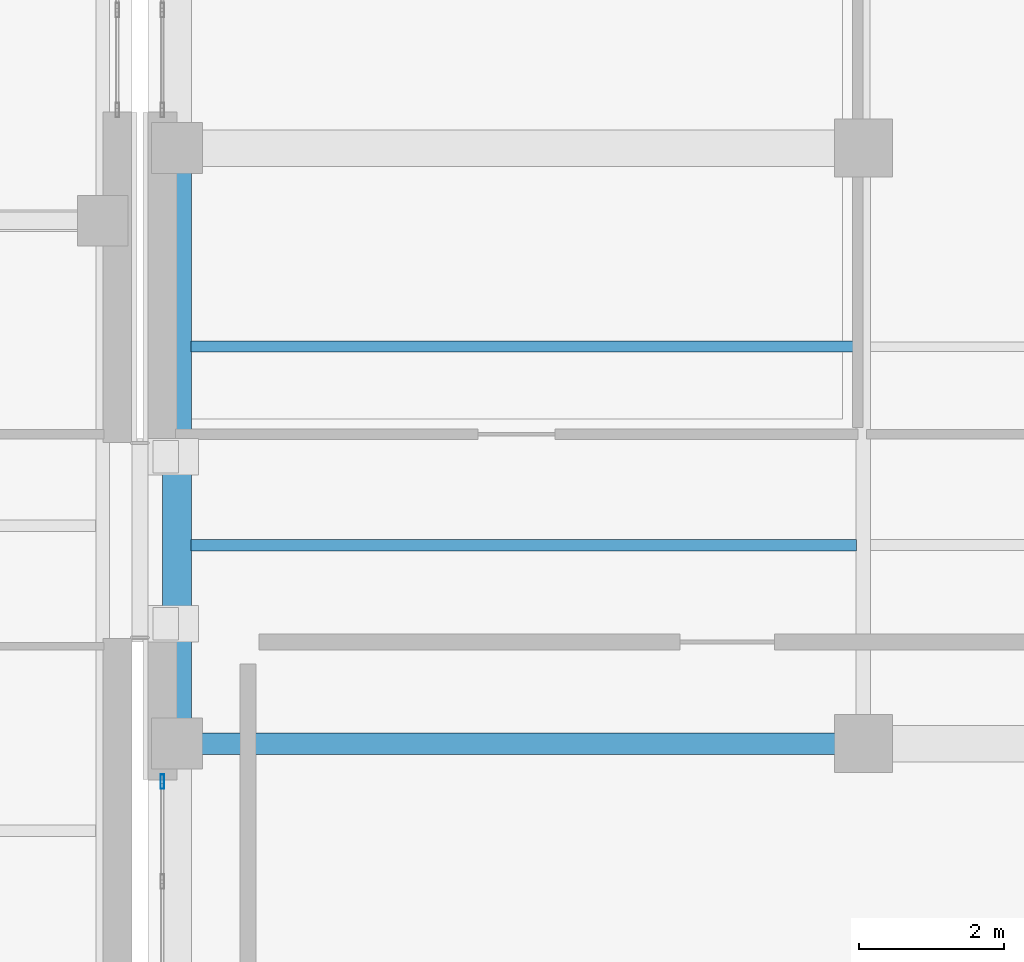
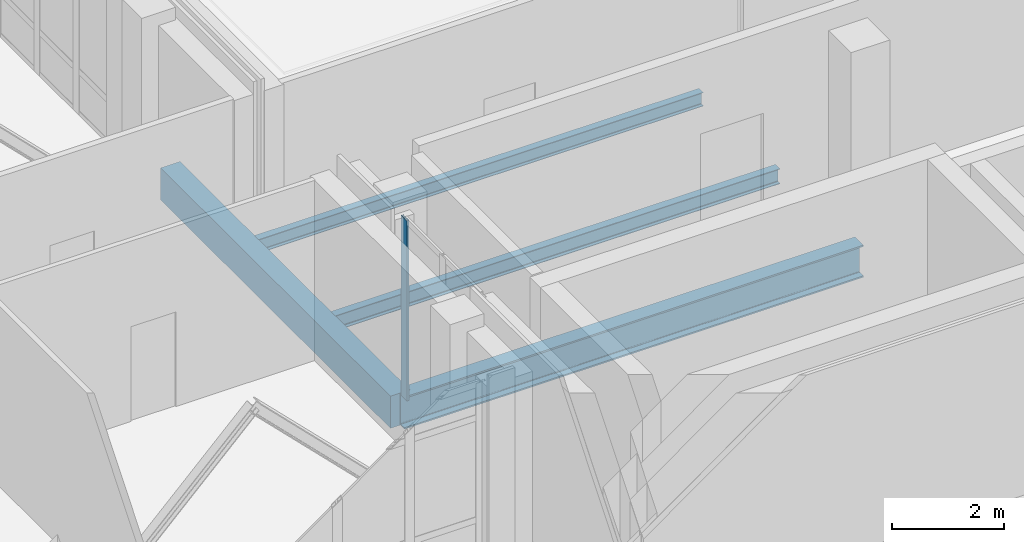
# One storey, part 18 of 158: 4 beams, 1 member, 1 element without a shape of its own.
"""IFC4 building model written with IfcOpenShell, lengths in metres."""

from ifc_helpers import new_model, si_unit, direction, frame, origin, origin_2d, place, context, subcontext, project, spatial, rectangle, hollow_rectangle, i_section, extrude, material, layer, layer_set, material_profile, profile_set, type_object, element, aggregate, save


model = new_model("IFC4")

# Units and contexts
model_context = context("Model", 3, precision=1e-05, world=origin(), true_north=direction((0.0, 1.0)))
body_context = subcontext(model_context, "Body", "Model", "MODEL_VIEW")
ifc_project = project(units=[si_unit("LENGTHUNIT", "METRE"), si_unit("AREAUNIT", "SQUARE_METRE"), si_unit("VOLUMEUNIT", "CUBIC_METRE"), si_unit("PLANEANGLEUNIT", "RADIAN"), si_unit("MASSUNIT", "GRAM", prefix="KILO")], contexts=[model_context])

# Site, building, storey
site_placement = place(None, origin())
site = spatial("IfcSite", under=ifc_project, at=site_placement, CompositionType="ELEMENT")
building_placement = place(site_placement, origin())
building = spatial("IfcBuilding", under=site, at=building_placement, Name="Qalavern Law Courts", CompositionType="ELEMENT")
storey_placement = place(building_placement, frame((0.0, 0.0, 18.60009765625)))
storey = spatial("IfcBuildingStorey", under=building, at=storey_placement, Name="L04", CompositionType="ELEMENT", Elevation=18.60009765625)

# Curtain wall, member
ifc_material_1 = material(Name="Anodised aluminium and insulated glazing", Category="aluminium")
ifc_layer = layer(ifc_material_1, 0.18505859375)
ifc_layer_set = layer_set([ifc_layer], Name="Anodised aluminium and insulated glazing")
curtain_wall_type = type_object("IfcCurtainWallType", Name="ENV-CW-HALL", PredefinedType="USERDEFINED", material=ifc_layer_set)
curtain_wall_placement = place(storey_placement, origin())
curtain_wall = element("IfcCurtainWall", 1, at=curtain_wall_placement, inside=storey, type_object=curtain_wall_type, Name="V2 unitised curtain wall L04 west 1", ObjectType="UNITISED CURTAIN WALL", PredefinedType="USERDEFINED")
ifc_material_2 = material(Name="Anodised aluminium", Category="aluminium")
ifc_material_profile_1 = material_profile(ifc_material_2, hollow_rectangle(XDim=0.048095703125, YDim=0.199951171875, WallThickness=0.00439453125, at=origin_2d()), Name="ALU MULLION 48x200")
ifc_profile_set_1 = profile_set([ifc_material_profile_1], Name="Anodised aluminium")
member_type = type_object("IfcMemberType", Name="ENV-CWM-48x200", PredefinedType="MULLION", material=ifc_profile_set_1)
member_placement = place(storey_placement, frame((34.419921875, 13.27587890625, 0.0), z_axis=(0.0, 0.0, 1.0), x_axis=(1.0, 0.0, 0.0)))
member = element("IfcMember", 2, at=member_placement, type_object=member_type, Name="CW-02 mullion 1", PredefinedType="MULLION", context=body_context, shape_type="SweptSolid", body=[
    extrude(hollow_rectangle(XDim=0.048095703125, YDim=0.199951171875, WallThickness=0.00439453125, at=origin_2d()), origin(), (0.0, 0.0, 1.0), 3.9248046875),
])
aggregate(curtain_wall, [member])

# Beams
ifc_material_3 = material(Name="Steel S355", Category="steel")
ifc_material_profile_2 = material_profile(ifc_material_3, i_section(OverallWidth=0.300048828125, OverallDepth=0.699951171875, WebThickness=0.01708984375, FlangeThickness=0.031982421875, FilletRadius=0.027099609375, at=origin_2d()), Name="HEB 700")
ifc_profile_set_2 = profile_set([ifc_material_profile_2], Name="Steel S355")
beam_type_1 = type_object("IfcBeamType", Name="STR-BM-HEB700", PredefinedType="BEAM", material=ifc_profile_set_2)
beam_1_placement = place(storey_placement, frame((34.6201171875, 13.800048828125, -0.630126953125), z_axis=(1.0, 0.0, 0.0), x_axis=(0.0, 1.0, 0.0)))
element("IfcBeam", 3, at=beam_1_placement, inside=storey, type_object=beam_type_1, Name="V2 X-beam 2-1 L04", PredefinedType="BEAM", context=body_context, shape_type="SweptSolid", body=[
    extrude(i_section(OverallWidth=0.300048828125, OverallDepth=0.699951171875, WebThickness=0.01708984375, FlangeThickness=0.031982421875, FilletRadius=0.027099609375, at=origin_2d()), origin(), (0.0, 0.0, 1.0), 9.4541015625),
])
ifc_material_profile_3 = material_profile(ifc_material_3, i_section(OverallWidth=0.14990234375, OverallDepth=0.300048828125, WebThickness=0.007080078125, FlangeThickness=0.0107421875, FilletRadius=0.014892578125, at=origin_2d()), Name="IPE 300")
ifc_profile_set_3 = profile_set([ifc_material_profile_3], Name="Steel S355")
beam_type_2 = type_object("IfcBeamType", Name="STR-JST-IPE300", PredefinedType="JOIST", material=ifc_profile_set_3)
beam_2_placement = place(storey_placement, frame((34.818115234375, 19.2666015625, -0.43017578125), z_axis=(1.0, 0.0, 0.0), x_axis=(0.0, 1.0, 0.0)))
element("IfcBeam", 4, at=beam_2_placement, inside=storey, type_object=beam_type_2, Name="V2 secondary joist 1.2.2 L04", PredefinedType="JOIST", context=body_context, shape_type="SweptSolid", body=[
    extrude(i_section(OverallWidth=0.14990234375, OverallDepth=0.300048828125, WebThickness=0.007080078125, FlangeThickness=0.0107421875, FilletRadius=0.014892578125, at=origin_2d()), origin(), (0.0, 0.0, 1.0), 9.158203125),
])
ifc_material_profile_4 = material_profile(ifc_material_3, i_section(OverallWidth=0.159912109375, OverallDepth=0.330078125, WebThickness=0.007568359375, FlangeThickness=0.011474609375, FilletRadius=0.01806640625, at=origin_2d()), Name="IPE 330")
ifc_profile_set_4 = profile_set([ifc_material_profile_4], Name="Steel S355")
beam_type_3 = type_object("IfcBeamType", Name="STR-JST-IPE330", PredefinedType="JOIST", material=ifc_profile_set_4)
beam_3_placement = place(storey_placement, frame((34.818115234375, 16.533203125, -0.445068359375), z_axis=(1.0, 0.0, 0.0), x_axis=(0.0, 1.0, 0.0)))
element("IfcBeam", 5, at=beam_3_placement, inside=storey, type_object=beam_type_3, Name="V2 secondary joist 1.2.1 L04", PredefinedType="JOIST", context=body_context, shape_type="SweptSolid", body=[
    extrude(i_section(OverallWidth=0.159912109375, OverallDepth=0.330078125, WebThickness=0.007568359375, FlangeThickness=0.011474609375, FilletRadius=0.01806640625, at=origin_2d()), origin(), (0.0, 0.0, 1.0), 9.158203125),
])
ifc_material_4 = material(Name="Concrete C40/50", Category="concrete")
ifc_material_profile_5 = material_profile(ifc_material_4, rectangle(XDim=0.39990234375, YDim=0.699951171875, at=origin_2d()), Name="RC 400x700")
ifc_profile_set_5 = profile_set([ifc_material_profile_5], Name="Concrete C40/50")
beam_type_4 = type_object("IfcBeamType", Name="STR-SP-RC400x700", PredefinedType="SPANDREL", material=ifc_profile_set_5)
beam_4_placement = place(storey_placement, frame((34.6201171875, 13.800048828125, -0.630126953125), z_axis=(0.0, 1.0, 0.0), x_axis=(-1.0, 0.0, 0.0)))
element("IfcBeam", 6, at=beam_4_placement, inside=storey, type_object=beam_type_4, Name="V2 Y-beam 1-2 L04", PredefinedType="SPANDREL", context=body_context, shape_type="SweptSolid", body=[
    extrude(rectangle(XDim=0.39990234375, YDim=0.699951171875, at=origin_2d()), origin(), (0.0, 0.0, 1.0), 8.199951171875),
])

save(model, "model.ifc")
